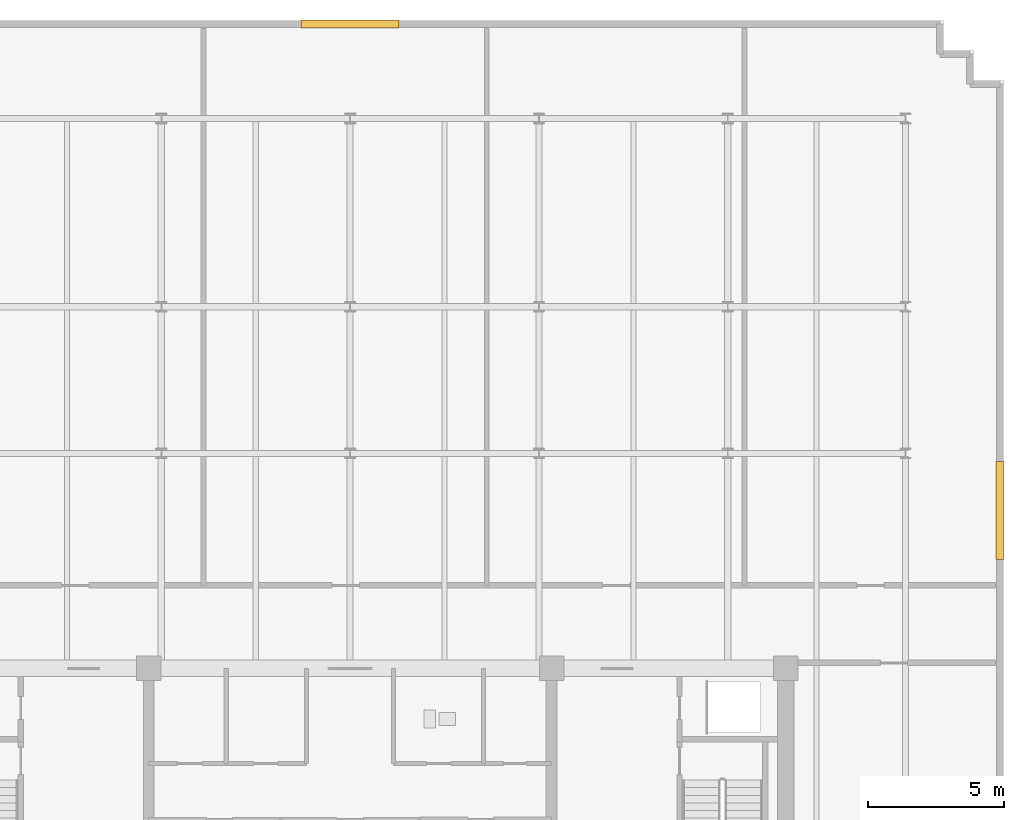
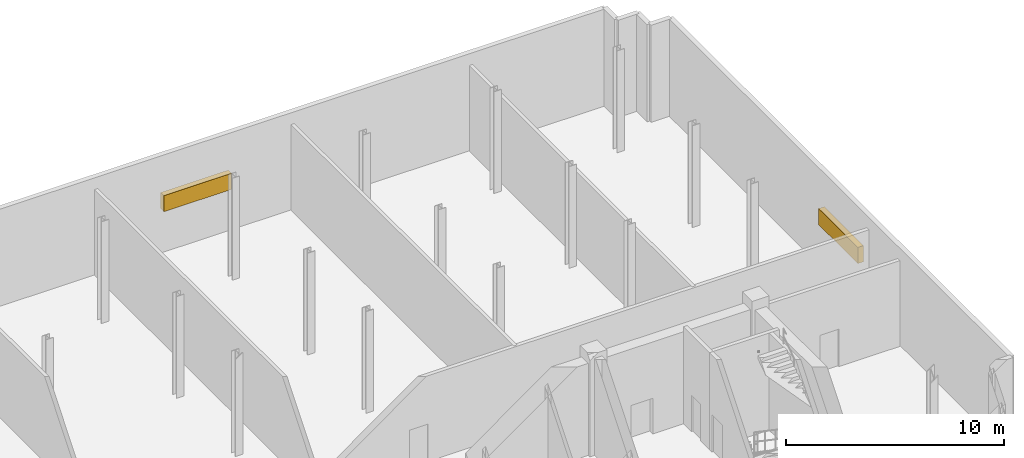
# One storey, part 6 of 7: 2 shading devices.
"""IFC4 building model written with IfcOpenShell, lengths in metres."""

from ifc_helpers import new_model, si_unit, direction, frame, origin, origin_2d, place, context, subcontext, project, spatial, rectangle, extrude, material, type_object, element, save


model = new_model("IFC4")

# Units and contexts
model_context = context("Model", 3, precision=1e-05, world=origin(), true_north=direction((0.0, 1.0)))
body_context = subcontext(model_context, "Body", "Model", "MODEL_VIEW")
ifc_project = project(units=[si_unit("LENGTHUNIT", "METRE"), si_unit("AREAUNIT", "SQUARE_METRE"), si_unit("VOLUMEUNIT", "CUBIC_METRE"), si_unit("PLANEANGLEUNIT", "RADIAN"), si_unit("MASSUNIT", "GRAM", prefix="KILO")], contexts=[model_context])

# Site, building, storey
site_placement = place(None, origin())
site = spatial("IfcSite", under=ifc_project, at=site_placement, CompositionType="ELEMENT")
building_placement = place(site_placement, origin())
building = spatial("IfcBuilding", under=site, at=building_placement, Name="Solmavex Isthmus Hotel", CompositionType="ELEMENT")
storey_placement = place(building_placement, frame((0.0, 0.0, 302.699951171875)))
storey = spatial("IfcBuildingStorey", under=building, at=storey_placement, Name="L81", CompositionType="ELEMENT", Elevation=302.699951171875)

# Shading devices
ifc_material = material(Name="Aluminium alloy 6063-T6", Category="aluminium")
shading_device_type = type_object("IfcShadingDeviceType", Name="SHD-LOUVRE-BOX", PredefinedType="JALOUSIE", material=ifc_material)
for number, where, z_axis, x_axis, name in (
    (1, (0.0, 21.169921875, 2.27001953125), (0.0, 0.0, 1.0), (1.0, 0.0, 0.0), "Acoustic Intake Louvre Screen L81-11"),
    (2, (23.8701171875, 3.300048828125, 2.27001953125), (0.0, 0.0, 1.0), (0.0, -1.0, 0.0), "Acoustic Intake Louvre Screen L81-16"),
):
    element("IfcShadingDevice", number, at=place(storey_placement, frame(where, z_axis=z_axis, x_axis=x_axis)), inside=storey, type_object=shading_device_type, Name=name, PredefinedType="JALOUSIE", context=body_context, shape_type="SweptSolid", body=[
        extrude(rectangle(XDim=3.60009765625, YDim=0.300048828125, at=origin_2d()), origin(), (0.0, 0.0, 1.0), 0.89990234375),
    ])

save(model, "model.ifc")
